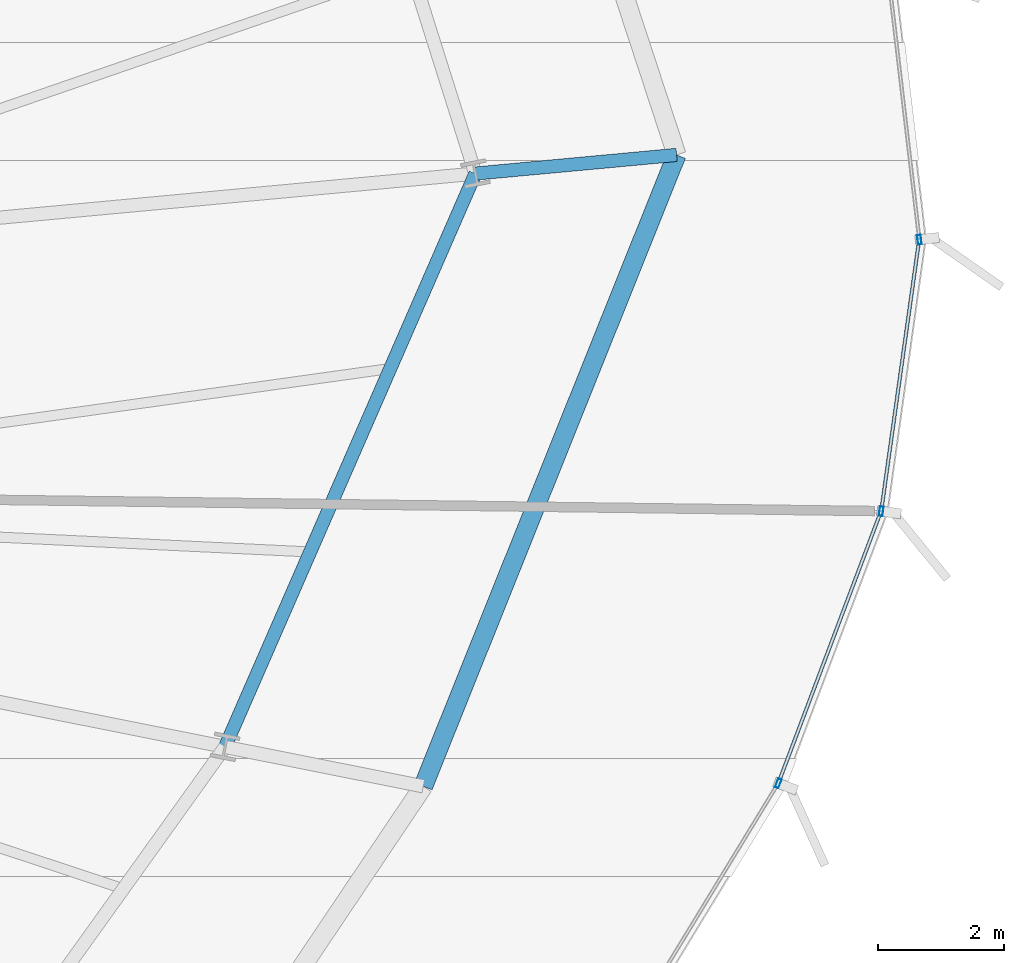
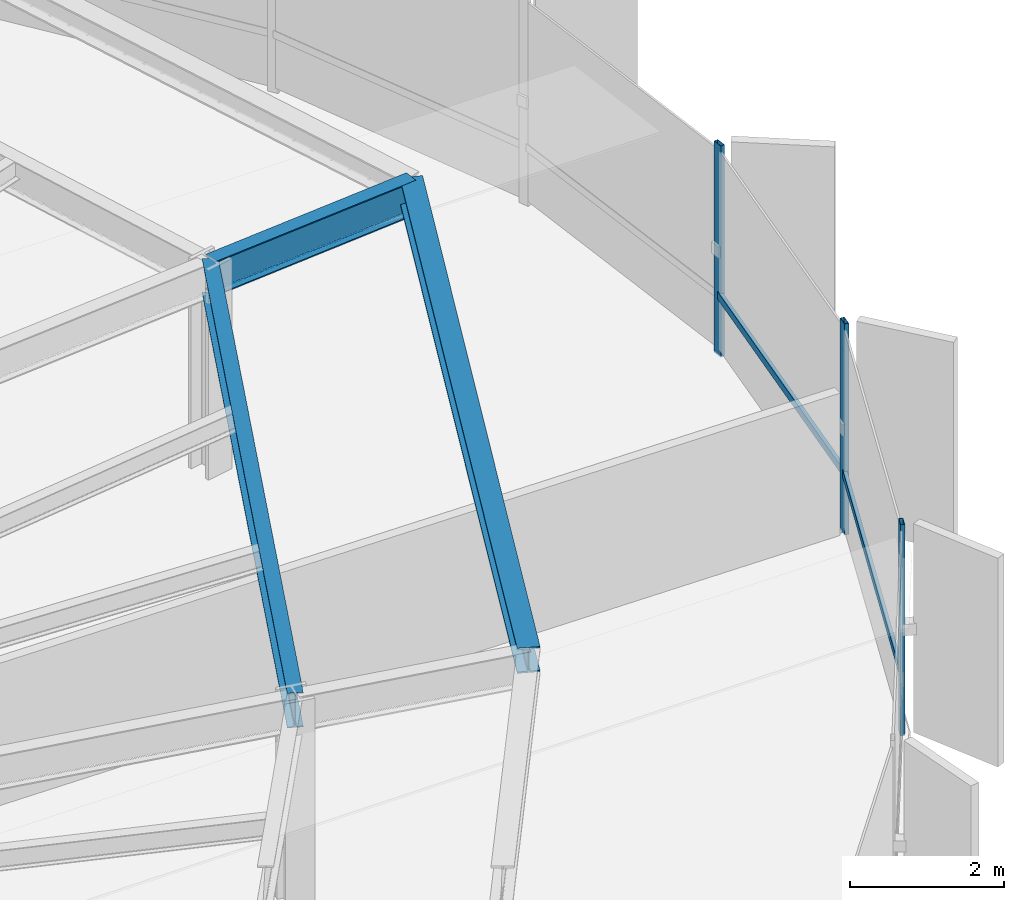
# One storey, part 15 of 35: 5 members, 3 beams, 1 element without a shape of its own.
"""IFC4 building model written with IfcOpenShell, lengths in metres."""

from ifc_helpers import new_model, si_unit, direction, frame, origin, origin_2d, place, context, subcontext, project, spatial, hollow_rectangle, i_section, extrude, source, transform, mapped, material, layer, layer_set, material_profile, profile_set, type_object, element, aggregate, save


model = new_model("IFC4")

# Units and contexts
model_context = context("Model", 3, precision=1e-05, world=origin(), true_north=direction((0.0, 1.0)))
body_context = subcontext(model_context, "Body", "Model", "MODEL_VIEW")
ifc_project = project(units=[si_unit("LENGTHUNIT", "METRE"), si_unit("AREAUNIT", "SQUARE_METRE"), si_unit("VOLUMEUNIT", "CUBIC_METRE"), si_unit("PLANEANGLEUNIT", "RADIAN"), si_unit("MASSUNIT", "GRAM", prefix="KILO"), si_unit("THERMODYNAMICTEMPERATUREUNIT", "KELVIN")], contexts=[model_context])

# Site, building, storey
site_placement = place(None, origin())
site = spatial("IfcSite", under=ifc_project, at=site_placement, CompositionType="ELEMENT")
building_placement = place(site_placement, origin())
building = spatial("IfcBuilding", under=site, at=building_placement, Name="Kethvar Cultural Tower", CompositionType="ELEMENT")
storey_placement = place(building_placement, frame((0.0, 0.0, 92.800048828125)))
storey = spatial("IfcBuildingStorey", under=building, at=storey_placement, Name="L22", CompositionType="ELEMENT", Elevation=92.800048828125)

# Beams
ifc_material_1 = material(Name="Steel S355J2", Category="steel")
ifc_material_profile_1 = material_profile(ifc_material_1, i_section(OverallWidth=0.2099609375, OverallDepth=0.550048828125, WebThickness=0.010986328125, FlangeThickness=0.01708984375, FilletRadius=0.02392578125, at=origin_2d()), Name="Steel S355J2 — IPE550")
ifc_profile_set_1 = profile_set([ifc_material_profile_1], Name="Steel S355J2 — IPE550")
beam_type_1 = type_object("IfcBeamType", Name="BM-IPE550", PredefinedType="BEAM", material=ifc_profile_set_1)
shared_shape_1 = source(origin(), body_context, "Body", "SweptSolid", [
    extrude(i_section(OverallWidth=0.2099609375, OverallDepth=0.550048828125, WebThickness=0.010986328125, FlangeThickness=0.01708984375, FilletRadius=0.02392578125, at=origin_2d()), origin(), (0.0, 0.0, 1.0), 3.199951171875),
])
beam_1_placement = place(storey_placement, frame((71.6025390625, 32.7333984375, 3.072998046875), z_axis=(0.995729641608, 0.092317283453, 0.0), x_axis=(-0.092317283453, 0.995729641608, 0.0)))
element("IfcBeam", 1, at=beam_1_placement, inside=storey, type_object=beam_type_1, Name="L22 Perimeter Cantilever Beam RC-01", PredefinedType="BEAM", context=body_context, shape_type="MappedRepresentation", body=[
    mapped(shared_shape_1, transform((0.0, 0.0, 0.0), scale=1.0)),
])
shared_shape_2 = source(origin(), body_context, "Body", "SweptSolid", [
    extrude(i_section(OverallWidth=0.2099609375, OverallDepth=0.550048828125, WebThickness=0.010986328125, FlangeThickness=0.01708984375, FilletRadius=0.02392578125, at=origin_2d()), origin(), (0.0, 0.0, 1.0), 9.90625),
])
beam_2_placement = place(storey_placement, frame((67.638671875, 23.65478515625, 3.072998046875), z_axis=(0.400138679026, 0.916454602011, 0.0), x_axis=(-0.916454602011, 0.400138679026, 0.0)))
element("IfcBeam", 2, at=beam_2_placement, inside=storey, type_object=beam_type_1, Name="L22 Column Ring Tie Beam CR-16", PredefinedType="BEAM", context=body_context, shape_type="MappedRepresentation", body=[
    mapped(shared_shape_2, transform((0.0, 0.0, 0.0), scale=1.0)),
])
ifc_material_profile_2 = material_profile(ifc_material_1, i_section(OverallWidth=0.300048828125, OverallDepth=0.39990234375, WebThickness=0.013427734375, FlangeThickness=0.02392578125, FilletRadius=0.027099609375, at=origin_2d()), Name="Steel S355J2 — HEB400")
ifc_profile_set_2 = profile_set([ifc_material_profile_2], Name="Steel S355J2 — HEB400")
beam_type_2 = type_object("IfcBeamType", Name="BM-SP400", PredefinedType="SPANDREL", material=ifc_profile_set_2)
shared_shape_3 = source(origin(), body_context, "Body", "SweptSolid", [
    extrude(i_section(OverallWidth=0.300048828125, OverallDepth=0.39990234375, WebThickness=0.013427734375, FlangeThickness=0.02392578125, FilletRadius=0.027099609375, at=origin_2d()), origin(), (0.0, 0.0, 1.0), 10.773193359375),
])
beam_3_placement = place(storey_placement, frame((70.777099609375, 23.030517578125, 3.14794921875), z_axis=(0.372382905959, 0.928079183771, 0.0), x_axis=(-0.928079183771, 0.372382905959, 0.0)))
element("IfcBeam", 3, at=beam_3_placement, inside=storey, type_object=beam_type_2, Name="L22 Perimeter Spandrel Beam SP-16", PredefinedType="SPANDREL", context=body_context, shape_type="MappedRepresentation", body=[
    mapped(shared_shape_3, transform((0.0, 0.0, 0.0), scale=1.0)),
])

# Curtain wall, members
ifc_material_2 = material(Name="Aluminium 6063-T6", Category="aluminium")
ifc_layer = layer(ifc_material_2, 0.179931640625, Name="Aluminium 6063-T6", Category="aluminium")
ifc_layer_set = layer_set([ifc_layer], Name="Aluminium 6063-T6 (180 mm)")
curtain_wall_type = type_object("IfcCurtainWallType", Name="CW-SYS-03-Z2", PredefinedType="NOTDEFINED", material=ifc_layer_set)
curtain_wall_placement = place(storey_placement, origin())
curtain_wall = element("IfcCurtainWall", 4, at=curtain_wall_placement, inside=storey, type_object=curtain_wall_type, Name="L22 Curtain Wall Run 06", PredefinedType="NOTDEFINED")
ifc_material_profile_3 = material_profile(ifc_material_2, hollow_rectangle(XDim=0.06005859375, YDim=0.14990234375, WallThickness=0.0048828125, at=origin_2d()), Name="Aluminium 6063-T6 — RHS150x60x5")
ifc_profile_set_3 = profile_set([ifc_material_profile_3], Name="Aluminium 6063-T6 — RHS150x60x5")
member_type_1 = type_object("IfcMemberType", Name="CW-SYS-03-Z2-MUL", PredefinedType="MULLION", material=ifc_profile_set_3)
shared_shape_4 = source(origin(), body_context, "Body", "SweptSolid", [
    extrude(hollow_rectangle(XDim=0.06005859375, YDim=0.14990234375, WallThickness=0.0048828125, at=origin_2d()), origin(), (0.0, 0.0, 1.0), 3.349853515625),
])
member_1_placement = place(storey_placement, frame((76.39990234375, 23.077880859375, 0.0), z_axis=(0.0, 0.0, 1.0), x_axis=(-0.935598174273, 0.353066645686, 0.0)))
member_1 = element("IfcMember", 5, at=member_1_placement, type_object=member_type_1, Name="CW-L22-R06 Mullion 4", PredefinedType="MULLION", context=body_context, shape_type="MappedRepresentation", body=[
    mapped(shared_shape_4, transform((0.0, 0.0, 0.0), scale=1.0)),
])
member_2_placement = place(storey_placement, frame((78.029296875, 27.38818359375, 0.0), z_axis=(0.0, 0.0, 1.0), x_axis=(-0.990386729006, 0.138326161693, 0.0)))
member_2 = element("IfcMember", 6, at=member_2_placement, type_object=member_type_1, Name="CW-L22-R06 Mullion 5", PredefinedType="MULLION", context=body_context, shape_type="MappedRepresentation", body=[
    mapped(shared_shape_4, transform((0.0, 0.0, 0.0), scale=1.0)),
])
member_3_placement = place(storey_placement, frame((78.633544921875, 31.686279296875, 0.0), z_axis=(0.0, 0.0, 1.0), x_axis=(-0.9932113148, -0.116324048041, 0.0)))
member_3 = element("IfcMember", 7, at=member_3_placement, type_object=member_type_1, Name="CW-L22-R06 Mullion 6", PredefinedType="MULLION", context=body_context, shape_type="MappedRepresentation", body=[
    mapped(shared_shape_4, transform((0.0, 0.0, 0.0), scale=1.0)),
])
ifc_material_profile_4 = material_profile(ifc_material_2, hollow_rectangle(XDim=0.054931640625, YDim=0.1201171875, WallThickness=0.00390625, at=origin_2d()), Name="Aluminium 6063-T6 — RHS120x55x4")
ifc_profile_set_4 = profile_set([ifc_material_profile_4], Name="Aluminium 6063-T6 — RHS120x55x4")
member_type_2 = type_object("IfcMemberType", Name="CW-SYS-03-Z2-TRN", PredefinedType="USERDEFINED", material=ifc_profile_set_4)
shared_shape_5 = source(origin(), body_context, "Body", "SweptSolid", [
    extrude(hollow_rectangle(XDim=0.054931640625, YDim=0.1201171875, WallThickness=0.00390625, at=origin_2d()), origin(), (0.0, 0.0, 1.0), 4.283203125),
])
member_4_placement = place(storey_placement, frame((78.035400390625, 27.430908203125, 0.949951171875), z_axis=(0.138284450965, 0.990392553799, 0.0), x_axis=(-0.990392553799, 0.138284450965, 0.0)))
member_4 = element("IfcMember", 8, at=member_4_placement, type_object=member_type_2, Name="CW-L22-R06 Transom 5", ObjectType="TRANSOM", PredefinedType="USERDEFINED", context=body_context, shape_type="MappedRepresentation", body=[
    mapped(shared_shape_5, transform((0.0, 0.0, 0.0), scale=1.0)),
])
shared_shape_6 = source(origin(), body_context, "Body", "SweptSolid", [
    extrude(hollow_rectangle(XDim=0.054931640625, YDim=0.1201171875, WallThickness=0.00390625, at=origin_2d()), origin(), (0.0, 0.0, 1.0), 4.546875),
])
member_5_placement = place(storey_placement, frame((76.4150390625, 23.118408203125, 0.949951171875), z_axis=(0.353099820053, 0.935585654592, 0.0), x_axis=(-0.935585654592, 0.353099820053, 0.0)))
member_5 = element("IfcMember", 9, at=member_5_placement, type_object=member_type_2, Name="CW-L22-R06 Transom 4", ObjectType="TRANSOM", PredefinedType="USERDEFINED", context=body_context, shape_type="MappedRepresentation", body=[
    mapped(shared_shape_6, transform((0.0, 0.0, 0.0), scale=1.0)),
])
aggregate(curtain_wall, [member_1, member_2, member_3, member_5, member_4])

save(model, "model.ifc")
